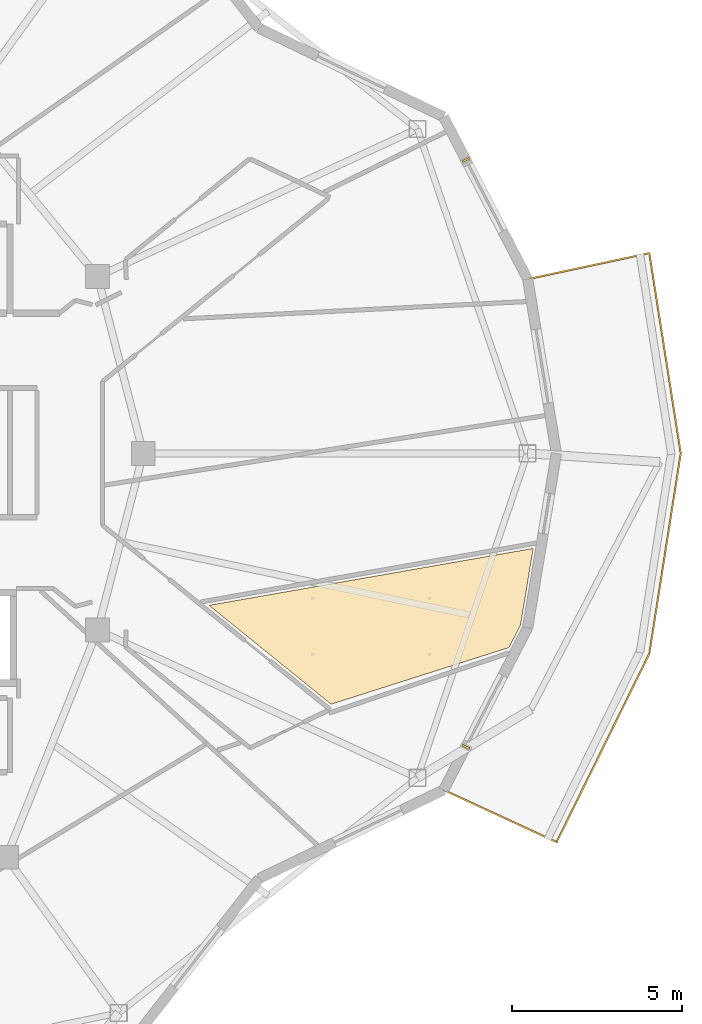
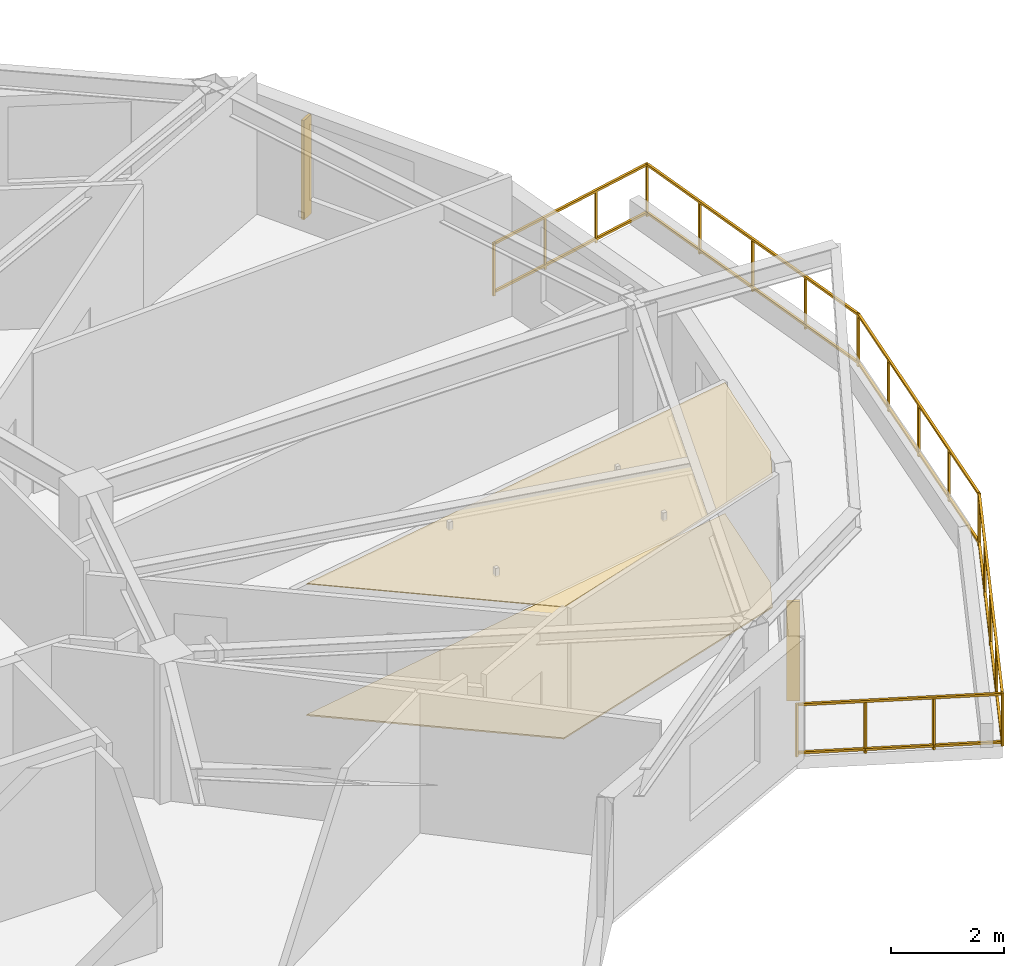
# One storey, part 13 of 14: 2 coverings, 2 shading devices, 1 railing.
"""IFC4 building model written with IfcOpenShell, lengths in metres."""

from ifc_helpers import new_model, si_unit, direction, frame, origin, origin_2d, place, context, subcontext, project, spatial, polyline, rectangle, outline, extrude, material, layer, layer_set, type_object, element, save


model = new_model("IFC4")

# Units and contexts
model_context = context("Model", 3, precision=1e-05, world=origin(), true_north=direction((0.0, 1.0)))
body_context = subcontext(model_context, "Body", "Model", "MODEL_VIEW")
ifc_project = project(units=[si_unit("LENGTHUNIT", "METRE"), si_unit("AREAUNIT", "SQUARE_METRE"), si_unit("VOLUMEUNIT", "CUBIC_METRE"), si_unit("PLANEANGLEUNIT", "RADIAN"), si_unit("MASSUNIT", "GRAM", prefix="KILO")], contexts=[model_context])

# Site, building, storey
site_placement = place(None, origin())
site = spatial("IfcSite", under=ifc_project, at=site_placement, CompositionType="ELEMENT")
building_placement = place(site_placement, origin())
building = spatial("IfcBuilding", under=site, at=building_placement, Name="Kolvaren Gate Tower and Convention Centre", CompositionType="ELEMENT")
storey_placement = place(building_placement, frame((0.0, 0.0, 222.800048828125)))
storey = spatial("IfcBuildingStorey", under=building, at=storey_placement, Name="L59", CompositionType="ELEMENT", Elevation=222.800048828125)

# Coverings
ifc_material_1 = material(Name="Perforated Mineral-Fibre Acoustic Ceiling Tile 18 mm", Category="gypsum")
ifc_layer_1 = layer(ifc_material_1, 0.01806640625)
ifc_layer_set_1 = layer_set([ifc_layer_1], Name="Perforated Mineral-Fibre Acoustic Ceiling Tile 18 mm")
covering_type_1 = type_object("IfcCoveringType", Name="ARCH-COV-CEIL-18", PredefinedType="CEILING", material=ifc_layer_set_1)
covering_1_placement = place(storey_placement, frame((0.0, 0.0, 2.849853515625)))
element("IfcCovering", 1, at=covering_1_placement, inside=storey, type_object=covering_type_1, Name="Resident Sauna and Wellness Spa Acoustic Suspended Ceiling", PredefinedType="CEILING", context=body_context, shape_type="SweptSolid", body=[
    extrude(outline(polyline([(48.2470703125, 19.6220703125), (44.657958984375, 22.530029296875), (54.19189453125, 24.2041015625), (53.820068359375, 21.946044921875), (53.47900390625, 21.2880859375), (48.2470703125, 19.6220703125)])), origin(), (0.0, 0.0, 1.0), 0.01806640625),
])
ifc_material_2 = material(Name="Honed Sabana Limestone Terrazzo Flooring 30 mm", Category="masonry")
ifc_layer_2 = layer(ifc_material_2, 0.030029296875)
ifc_layer_set_2 = layer_set([ifc_layer_2], Name="Honed Sabana Limestone Terrazzo Flooring 30 mm")
covering_type_2 = type_object("IfcCoveringType", Name="ARCH-COV-FLR-30", PredefinedType="FLOORING", material=ifc_layer_set_2)
covering_2_placement = place(storey_placement, origin())
element("IfcCovering", 2, at=covering_2_placement, inside=storey, type_object=covering_type_2, Name="Resident Sauna and Wellness Spa Interior Finish Flooring", PredefinedType="FLOORING", context=body_context, shape_type="SweptSolid", body=[
    extrude(outline(polyline([(48.2470703125, 19.6220703125), (44.657958984375, 22.530029296875), (54.19189453125, 24.2041015625), (53.820068359375, 21.946044921875), (53.47900390625, 21.2880859375), (48.2470703125, 19.6220703125)])), origin(), (0.0, 0.0, 1.0), 0.030029296875),
])

# Railing
ifc_material_3 = material(Name="Brushed Stainless Steel Grade 316L", Category="steel")
railing_type = type_object("IfcRailingType", Name="ARCH-RL-GUARD-1150", PredefinedType="GUARDRAIL", material=ifc_material_3)
railing_placement = place(storey_placement, frame((51.55908203125, 17.10009765625, 0.0)))
element("IfcRailing", 3, at=railing_placement, inside=storey, type_object=railing_type, Name="Tower L59 Terrace Perimeter Guardrail GR-4", PredefinedType="GUARDRAIL", context=body_context, shape_type="SweptSolid", body=[
    extrude(rectangle(XDim=0.048095703125, YDim=0.048095703125, at=origin_2d()), frame((0.025390625, -0.01171875, 1.1259765625), z_axis=(0.907820723829, -0.419358478377, 0.0), x_axis=(0.419358478377, 0.907820723829, 0.0)), (0.0, 0.0, 1.0), 3.60400390625),
    extrude(rectangle(XDim=0.048095703125, YDim=0.048095703125, at=origin_2d()), frame((0.025390625, -0.01171875, 0.083984375), z_axis=(0.907820723829, -0.419358478377, 0.0), x_axis=(0.419358478377, 0.907820723829, 0.0)), (0.0, 0.0, 1.0), 3.60400390625),
    extrude(rectangle(XDim=0.048095703125, YDim=0.048095703125, at=origin_2d()), frame((3.335205078125, -1.509765625, 1.1259765625), z_axis=(0.441625304244, 0.897199582396, 0.0), x_axis=(-0.897199582396, 0.441625304244, 0.0)), (0.0, 0.0, 1.0), 6.122314453125),
    extrude(rectangle(XDim=0.048095703125, YDim=0.048095703125, at=origin_2d()), frame((3.335205078125, -1.509765625, 0.083984375), z_axis=(0.441625304244, 0.897199582396, 0.0), x_axis=(-0.897199582396, 0.441625304244, 0.0)), (0.0, 0.0, 1.0), 6.122314453125),
    extrude(rectangle(XDim=0.048095703125, YDim=0.048095703125, at=origin_2d()), frame((6.0556640625, 4.035888671875, 1.1259765625), z_axis=(0.155031225865, 0.987909570258, 0.0), x_axis=(-0.987909570258, 0.155031225865, 0.0)), (0.0, 0.0, 1.0), 5.90771484375),
    extrude(rectangle(XDim=0.048095703125, YDim=0.048095703125, at=origin_2d()), frame((6.0556640625, 4.035888671875, 0.083984375), z_axis=(0.155031225865, 0.987909570258, 0.0), x_axis=(-0.987909570258, 0.155031225865, 0.0)), (0.0, 0.0, 1.0), 5.90771484375),
    extrude(rectangle(XDim=0.048095703125, YDim=0.048095703125, at=origin_2d()), frame((6.971435546875, 9.927490234375, 1.1259765625), z_axis=(-0.155031225865, 0.987909570258, 0.0), x_axis=(-0.987909570258, -0.155031225865, 0.0)), (0.0, 0.0, 1.0), 5.90771484375),
    extrude(rectangle(XDim=0.048095703125, YDim=0.048095703125, at=origin_2d()), frame((6.971435546875, 9.927490234375, 0.083984375), z_axis=(-0.155031225865, 0.987909570258, 0.0), x_axis=(-0.987909570258, -0.155031225865, 0.0)), (0.0, 0.0, 1.0), 5.90771484375),
    extrude(rectangle(XDim=0.048095703125, YDim=0.048095703125, at=origin_2d()), frame((6.02392578125, 15.78564453125, 1.1259765625), z_axis=(-0.977788745232, -0.209592866525, 0.0), x_axis=(0.209592866525, -0.977788745232, 0.0)), (0.0, 0.0, 1.0), 3.603759765625),
    extrude(rectangle(XDim=0.048095703125, YDim=0.048095703125, at=origin_2d()), frame((6.02392578125, 15.78564453125, 0.083984375), z_axis=(-0.977788745232, -0.209592866525, 0.0), x_axis=(0.209592866525, -0.977788745232, 0.0)), (0.0, 0.0, 1.0), 3.603759765625),
    extrude(rectangle(XDim=0.0419921875, YDim=0.0419921875, at=origin_2d()), origin(), (0.0, 0.0, 1.0), 1.14990234375),
    extrude(rectangle(XDim=0.0419921875, YDim=0.0419921875, at=origin_2d()), frame((3.32275390625, -1.534912109375, 0.0)), (0.0, 0.0, 1.0), 1.14990234375),
    extrude(rectangle(XDim=0.0419921875, YDim=0.0419921875, at=origin_2d()), frame((1.107666015625, -0.51171875, 0.0)), (0.0, 0.0, 1.0), 1.099853515625),
    extrude(rectangle(XDim=0.0419921875, YDim=0.0419921875, at=origin_2d()), frame((2.215087890625, -1.023193359375, 0.0)), (0.0, 0.0, 1.0), 1.099853515625),
    extrude(rectangle(XDim=0.0419921875, YDim=0.0419921875, at=origin_2d()), frame((6.05126953125, 4.00830078125, 0.0)), (0.0, 0.0, 1.0), 1.14990234375),
    extrude(rectangle(XDim=0.0419921875, YDim=0.0419921875, at=origin_2d()), frame((4.0048828125, -0.149169921875, 0.0)), (0.0, 0.0, 1.0), 1.099853515625),
    extrude(rectangle(XDim=0.0419921875, YDim=0.0419921875, at=origin_2d()), frame((4.68701171875, 1.23681640625, 0.0)), (0.0, 0.0, 1.0), 1.099853515625),
    extrude(rectangle(XDim=0.0419921875, YDim=0.0419921875, at=origin_2d()), frame((5.369140625, 2.62255859375, 0.0)), (0.0, 0.0, 1.0), 1.099853515625),
    extrude(rectangle(XDim=0.0419921875, YDim=0.0419921875, at=origin_2d()), frame((6.975830078125, 9.89990234375, 0.0)), (0.0, 0.0, 1.0), 1.14990234375),
    extrude(rectangle(XDim=0.0419921875, YDim=0.0419921875, at=origin_2d()), frame((6.282470703125, 5.481201171875, 0.0)), (0.0, 0.0, 1.0), 1.099853515625),
    extrude(rectangle(XDim=0.0419921875, YDim=0.0419921875, at=origin_2d()), frame((6.513671875, 6.9541015625, 0.0)), (0.0, 0.0, 1.0), 1.099853515625),
    extrude(rectangle(XDim=0.0419921875, YDim=0.0419921875, at=origin_2d()), frame((6.74462890625, 8.427001953125, 0.0)), (0.0, 0.0, 1.0), 1.099853515625),
    extrude(rectangle(XDim=0.0419921875, YDim=0.0419921875, at=origin_2d()), frame((6.05126953125, 15.79150390625, 0.0)), (0.0, 0.0, 1.0), 1.14990234375),
    extrude(rectangle(XDim=0.0419921875, YDim=0.0419921875, at=origin_2d()), frame((6.74462890625, 11.372802734375, 0.0)), (0.0, 0.0, 1.0), 1.099853515625),
    extrude(rectangle(XDim=0.0419921875, YDim=0.0419921875, at=origin_2d()), frame((6.513671875, 12.845703125, 0.0)), (0.0, 0.0, 1.0), 1.099853515625),
    extrude(rectangle(XDim=0.0419921875, YDim=0.0419921875, at=origin_2d()), frame((6.282470703125, 14.318603515625, 0.0)), (0.0, 0.0, 1.0), 1.099853515625),
    extrude(rectangle(XDim=0.0419921875, YDim=0.0419921875, at=origin_2d()), frame((2.47265625, 15.0244140625, 0.0)), (0.0, 0.0, 1.0), 1.14990234375),
    extrude(rectangle(XDim=0.0419921875, YDim=0.0419921875, at=origin_2d()), frame((4.8583984375, 15.535888671875, 0.0)), (0.0, 0.0, 1.0), 1.099853515625),
    extrude(rectangle(XDim=0.0419921875, YDim=0.0419921875, at=origin_2d()), frame((3.66552734375, 15.280029296875, 0.0)), (0.0, 0.0, 1.0), 1.099853515625),
])

# Shading devices
ifc_material_4 = material(Name="Kiln-Fired Bogota Terracotta Ceramic Louvre Profile", Category="masonry")
shading_device_type = type_object("IfcShadingDeviceType", Name="ARCH-SHD-FIN-180", PredefinedType="JALOUSIE", material=ifc_material_4)
for number, where, z_axis, x_axis, name in (
    (4, (52.21630859375, 35.631103515625, 0.219970703125), (0.0, 0.0, 1.0), (0.459799959359, -0.888022520758, 0.0), "Ceramic Vertical Brise-Soleil Fin FN-L59-01"),
    (5, (52.21630859375, 18.368896484375, 0.219970703125), (0.0, 0.0, 1.0), (0.459799959359, 0.888022520758, 0.0), "Ceramic Vertical Brise-Soleil Fin FN-L59-22"),
):
    element("IfcShadingDevice", number, at=place(storey_placement, frame(where, z_axis=z_axis, x_axis=x_axis)), inside=storey, type_object=shading_device_type, Name=name, PredefinedType="JALOUSIE", context=body_context, shape_type="SweptSolid", body=[
        extrude(rectangle(XDim=0.06005859375, YDim=0.239990234375, at=origin_2d()), origin(), (0.0, 0.0, 1.0), 2.14990234375),
    ])

save(model, "model.ifc")
